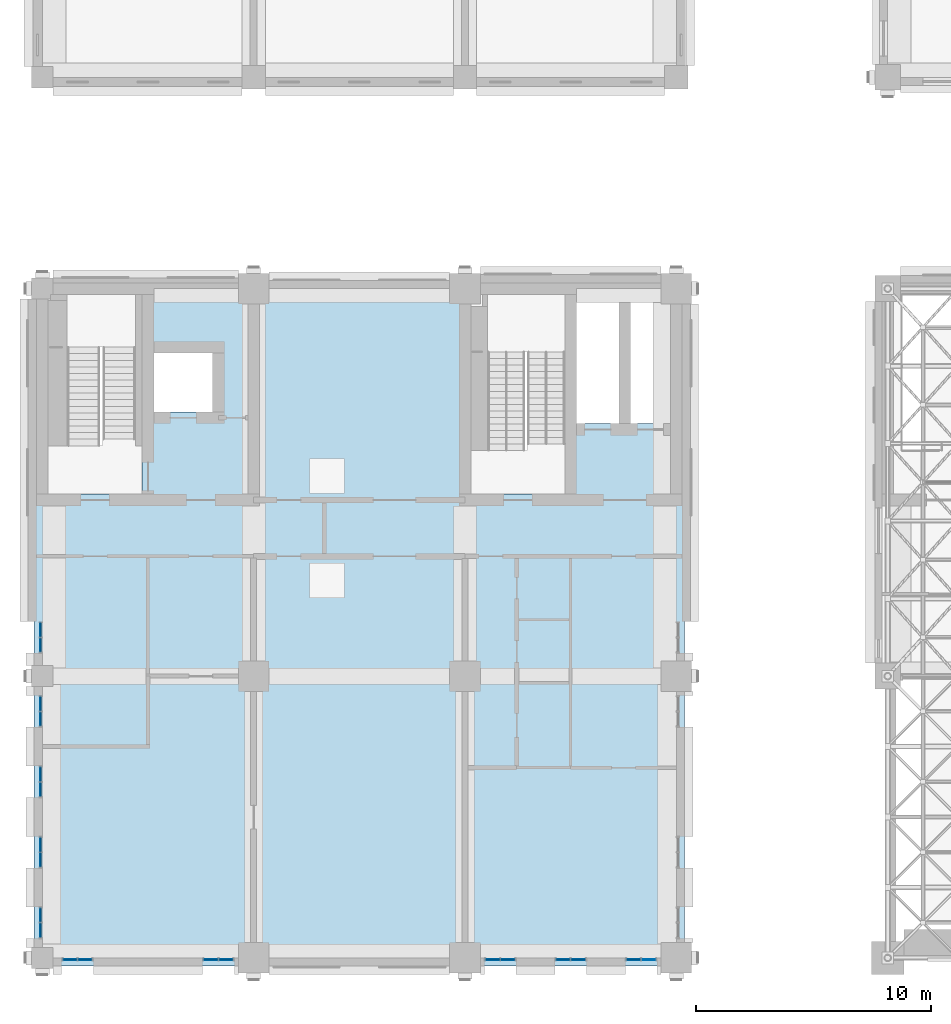
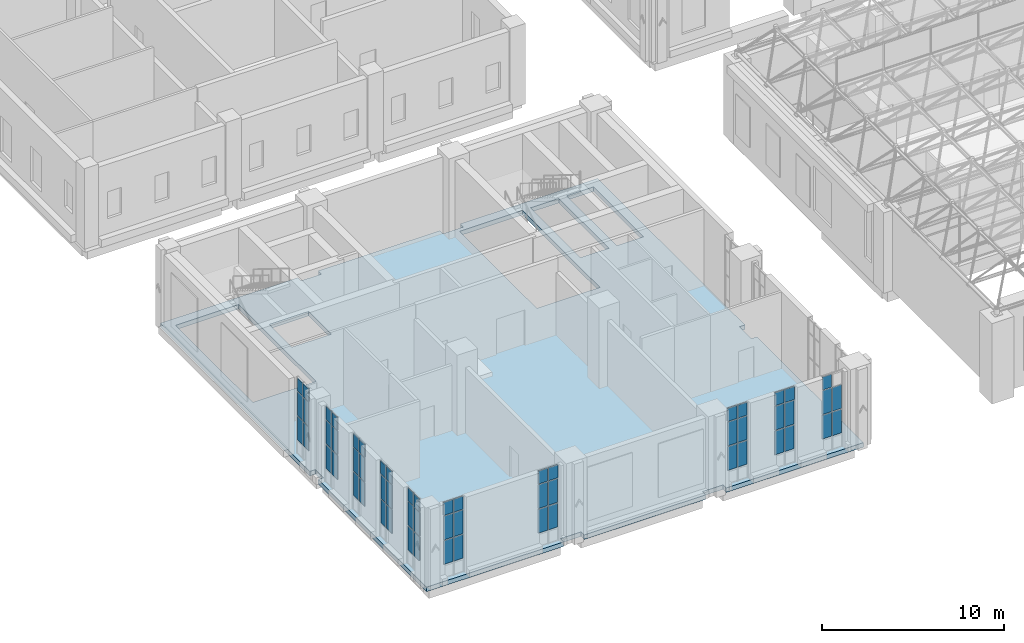
# One storey, part 19 of 53: 59 plates, 1 slab, 10 elements without a shape of their own.
"""IFC4 building model written with IfcOpenShell, lengths in metres."""

from ifc_helpers import new_model, si_unit, direction, frame, origin, origin_2d, place, context, subcontext, project, spatial, polyline, rectangle, outline, extrude, material, layer, layer_set, type_object, element, aggregate, save


model = new_model("IFC4")

# Units and contexts
model_context = context("Model", 3, precision=1e-05, world=origin(), true_north=direction((0.0, 1.0)))
body_context = subcontext(model_context, "Body", "Model", "MODEL_VIEW")
ifc_project = project(units=[si_unit("LENGTHUNIT", "METRE"), si_unit("AREAUNIT", "SQUARE_METRE"), si_unit("VOLUMEUNIT", "CUBIC_METRE"), si_unit("PLANEANGLEUNIT", "RADIAN"), si_unit("MASSUNIT", "GRAM", prefix="KILO")], contexts=[model_context])

# Site, building, storey
site_placement = place(None, origin())
site = spatial("IfcSite", under=ifc_project, at=site_placement, CompositionType="ELEMENT")
building_placement = place(site_placement, origin())
building = spatial("IfcBuilding", under=site, at=building_placement, Name="Aurelan Courthouse", CompositionType="ELEMENT")
storey_placement = place(building_placement, frame((0.0, 0.0, 12.0)))
storey = spatial("IfcBuildingStorey", under=building, at=storey_placement, Name="L02", CompositionType="ELEMENT", Elevation=12.0)

# Curtain wall, plates
ifc_material_1 = material(Name="Bronze-finished aluminium and glass", Category="aluminium")
ifc_layer_1 = layer(ifc_material_1, 0.14990234375)
ifc_layer_set_1 = layer_set([ifc_layer_1], Name="Bronze-finished aluminium and glass")
curtain_wall_type = type_object("IfcCurtainWallType", Name="Curtain wall 1350 x 5150", PredefinedType="NOTDEFINED", material=ifc_layer_set_1)
curtain_wall_1_placement = place(storey_placement, origin())
curtain_wall_1 = element("IfcCurtainWall", 1, at=curtain_wall_1_placement, inside=storey, type_object=curtain_wall_type, Name="Curtain wall CW-V5-L02-S01", PredefinedType="NOTDEFINED")
ifc_material_2 = material(Name="Limestone cladding", Category="masonry")
ifc_layer_2 = layer(ifc_material_2, 0.0400390625, Name="Facing")
ifc_material_3 = material(Name="Bronze sheet cladding", Category="bronze")
ifc_layer_3 = layer(ifc_material_3, 0.02001953125, Name="Back sheet")
ifc_layer_set_2 = layer_set([ifc_layer_2, ifc_layer_3], Name="Limestone cladding")
plate_type_1 = type_object("IfcPlateType", Name="Limestone spandrel panel with bronze back sheet 60", PredefinedType="CURTAIN_PANEL", material=ifc_layer_set_2)
plate_1_placement = place(storey_placement, frame((1.177490234375, -0.074951171875, 4.22998046875), z_axis=(0.0, 0.0, 1.0), x_axis=(1.0, 0.0, 0.0)))
plate_1 = element("IfcPlate", 2, at=plate_1_placement, type_object=plate_type_1, Name="CW-V5-L02-S01 spandrel panel 1.4", PredefinedType="CURTAIN_PANEL", context=body_context, shape_type="SweptSolid", body=[
    extrude(rectangle(XDim=0.5849609375, YDim=0.06005859375, at=origin_2d()), origin(), (0.0, 0.0, 1.0), 0.860107421875),
])
plate_2_placement = place(storey_placement, frame((1.822509765625, -0.074951171875, 4.22998046875), z_axis=(0.0, 0.0, 1.0), x_axis=(1.0, 0.0, 0.0)))
plate_2 = element("IfcPlate", 3, at=plate_2_placement, type_object=plate_type_1, Name="CW-V5-L02-S01 spandrel panel 2.4", PredefinedType="CURTAIN_PANEL", context=body_context, shape_type="SweptSolid", body=[
    extrude(rectangle(XDim=0.5849609375, YDim=0.06005859375, at=origin_2d()), origin(), (0.0, 0.0, 1.0), 0.860107421875),
])

curtain_wall_2_placement = place(storey_placement, origin())
curtain_wall_2 = element("IfcCurtainWall", 4, at=curtain_wall_2_placement, inside=storey, type_object=curtain_wall_type, Name="Curtain wall CW-V5-L02-S02", PredefinedType="NOTDEFINED")
plate_3_placement = place(storey_placement, frame((7.177490234375, -0.074951171875, 4.22998046875), z_axis=(0.0, 0.0, 1.0), x_axis=(1.0, 0.0, 0.0)))
plate_3 = element("IfcPlate", 5, at=plate_3_placement, type_object=plate_type_1, Name="CW-V5-L02-S02 spandrel panel 1.4", PredefinedType="CURTAIN_PANEL", context=body_context, shape_type="SweptSolid", body=[
    extrude(rectangle(XDim=0.5849609375, YDim=0.06005859375, at=origin_2d()), origin(), (0.0, 0.0, 1.0), 0.860107421875),
])
plate_4_placement = place(storey_placement, frame((7.822509765625, -0.074951171875, 4.22998046875), z_axis=(0.0, 0.0, 1.0), x_axis=(1.0, 0.0, 0.0)))
plate_4 = element("IfcPlate", 6, at=plate_4_placement, type_object=plate_type_1, Name="CW-V5-L02-S02 spandrel panel 2.4", PredefinedType="CURTAIN_PANEL", context=body_context, shape_type="SweptSolid", body=[
    extrude(rectangle(XDim=0.5849609375, YDim=0.06005859375, at=origin_2d()), origin(), (0.0, 0.0, 1.0), 0.860107421875),
])

curtain_wall_3_placement = place(storey_placement, origin())
curtain_wall_3 = element("IfcCurtainWall", 7, at=curtain_wall_3_placement, inside=storey, type_object=curtain_wall_type, Name="Curtain wall CW-V5-L02-S03", PredefinedType="NOTDEFINED")
plate_5_placement = place(storey_placement, frame((19.177490234375, -0.074951171875, 4.22998046875), z_axis=(0.0, 0.0, 1.0), x_axis=(1.0, 0.0, 0.0)))
plate_5 = element("IfcPlate", 8, at=plate_5_placement, type_object=plate_type_1, Name="CW-V5-L02-S03 spandrel panel 1.4", PredefinedType="CURTAIN_PANEL", context=body_context, shape_type="SweptSolid", body=[
    extrude(rectangle(XDim=0.5849609375, YDim=0.06005859375, at=origin_2d()), origin(), (0.0, 0.0, 1.0), 0.860107421875),
])
plate_6_placement = place(storey_placement, frame((19.822509765625, -0.074951171875, 4.22998046875), z_axis=(0.0, 0.0, 1.0), x_axis=(1.0, 0.0, 0.0)))
plate_6 = element("IfcPlate", 9, at=plate_6_placement, type_object=plate_type_1, Name="CW-V5-L02-S03 spandrel panel 2.4", PredefinedType="CURTAIN_PANEL", context=body_context, shape_type="SweptSolid", body=[
    extrude(rectangle(XDim=0.5849609375, YDim=0.06005859375, at=origin_2d()), origin(), (0.0, 0.0, 1.0), 0.860107421875),
])

curtain_wall_4_placement = place(storey_placement, origin())
curtain_wall_4 = element("IfcCurtainWall", 10, at=curtain_wall_4_placement, inside=storey, type_object=curtain_wall_type, Name="Curtain wall CW-V5-L02-S04", PredefinedType="NOTDEFINED")
plate_7_placement = place(storey_placement, frame((22.177490234375, -0.074951171875, 4.22998046875), z_axis=(0.0, 0.0, 1.0), x_axis=(1.0, 0.0, 0.0)))
plate_7 = element("IfcPlate", 11, at=plate_7_placement, type_object=plate_type_1, Name="CW-V5-L02-S04 spandrel panel 1.4", PredefinedType="CURTAIN_PANEL", context=body_context, shape_type="SweptSolid", body=[
    extrude(rectangle(XDim=0.5849609375, YDim=0.06005859375, at=origin_2d()), origin(), (0.0, 0.0, 1.0), 0.860107421875),
])
plate_8_placement = place(storey_placement, frame((22.822509765625, -0.074951171875, 4.22998046875), z_axis=(0.0, 0.0, 1.0), x_axis=(1.0, 0.0, 0.0)))
plate_8 = element("IfcPlate", 12, at=plate_8_placement, type_object=plate_type_1, Name="CW-V5-L02-S04 spandrel panel 2.4", PredefinedType="CURTAIN_PANEL", context=body_context, shape_type="SweptSolid", body=[
    extrude(rectangle(XDim=0.5849609375, YDim=0.06005859375, at=origin_2d()), origin(), (0.0, 0.0, 1.0), 0.860107421875),
])

# Curtain wall, plate
curtain_wall_5_placement = place(storey_placement, origin())
curtain_wall_5 = element("IfcCurtainWall", 13, at=curtain_wall_5_placement, inside=storey, type_object=curtain_wall_type, Name="Curtain wall CW-V5-L02-S05", PredefinedType="NOTDEFINED")
plate_9_placement = place(storey_placement, frame((25.177490234375, -0.074951171875, 4.22998046875), z_axis=(0.0, 0.0, 1.0), x_axis=(1.0, 0.0, 0.0)))
plate_9 = element("IfcPlate", 14, at=plate_9_placement, type_object=plate_type_1, Name="CW-V5-L02-S05 spandrel panel 1.4", PredefinedType="CURTAIN_PANEL", context=body_context, shape_type="SweptSolid", body=[
    extrude(rectangle(XDim=0.5849609375, YDim=0.06005859375, at=origin_2d()), origin(), (0.0, 0.0, 1.0), 0.860107421875),
])

# Curtain wall, plates
curtain_wall_6_placement = place(storey_placement, origin())
curtain_wall_6 = element("IfcCurtainWall", 15, at=curtain_wall_6_placement, inside=storey, type_object=curtain_wall_type, Name="Curtain wall CW-V5-L02-W01", PredefinedType="NOTDEFINED")
plate_10_placement = place(storey_placement, frame((-0.074951171875, 1.177490234375, 4.22998046875), z_axis=(0.0, 0.0, 1.0), x_axis=(0.0, 1.0, 0.0)))
plate_10 = element("IfcPlate", 16, at=plate_10_placement, type_object=plate_type_1, Name="CW-V5-L02-W01 spandrel panel 1.4", PredefinedType="CURTAIN_PANEL", context=body_context, shape_type="SweptSolid", body=[
    extrude(rectangle(XDim=0.5849609375, YDim=0.06005859375, at=origin_2d()), origin(), (0.0, 0.0, 1.0), 0.860107421875),
])
plate_11_placement = place(storey_placement, frame((-0.074951171875, 1.822509765625, 4.22998046875), z_axis=(0.0, 0.0, 1.0), x_axis=(0.0, 1.0, 0.0)))
plate_11 = element("IfcPlate", 17, at=plate_11_placement, type_object=plate_type_1, Name="CW-V5-L02-W01 spandrel panel 2.4", PredefinedType="CURTAIN_PANEL", context=body_context, shape_type="SweptSolid", body=[
    extrude(rectangle(XDim=0.5849609375, YDim=0.06005859375, at=origin_2d()), origin(), (0.0, 0.0, 1.0), 0.860107421875),
])

curtain_wall_7_placement = place(storey_placement, origin())
curtain_wall_7 = element("IfcCurtainWall", 18, at=curtain_wall_7_placement, inside=storey, type_object=curtain_wall_type, Name="Curtain wall CW-V5-L02-W02", PredefinedType="NOTDEFINED")
plate_12_placement = place(storey_placement, frame((-0.074951171875, 4.177490234375, 4.22998046875), z_axis=(0.0, 0.0, 1.0), x_axis=(0.0, 1.0, 0.0)))
plate_12 = element("IfcPlate", 19, at=plate_12_placement, type_object=plate_type_1, Name="CW-V5-L02-W02 spandrel panel 1.4", PredefinedType="CURTAIN_PANEL", context=body_context, shape_type="SweptSolid", body=[
    extrude(rectangle(XDim=0.5849609375, YDim=0.06005859375, at=origin_2d()), origin(), (0.0, 0.0, 1.0), 0.860107421875),
])
plate_13_placement = place(storey_placement, frame((-0.074951171875, 4.822509765625, 4.22998046875), z_axis=(0.0, 0.0, 1.0), x_axis=(0.0, 1.0, 0.0)))
plate_13 = element("IfcPlate", 20, at=plate_13_placement, type_object=plate_type_1, Name="CW-V5-L02-W02 spandrel panel 2.4", PredefinedType="CURTAIN_PANEL", context=body_context, shape_type="SweptSolid", body=[
    extrude(rectangle(XDim=0.5849609375, YDim=0.06005859375, at=origin_2d()), origin(), (0.0, 0.0, 1.0), 0.860107421875),
])

curtain_wall_8_placement = place(storey_placement, origin())
curtain_wall_8 = element("IfcCurtainWall", 21, at=curtain_wall_8_placement, inside=storey, type_object=curtain_wall_type, Name="Curtain wall CW-V5-L02-W03", PredefinedType="NOTDEFINED")
plate_14_placement = place(storey_placement, frame((-0.074951171875, 7.177490234375, 4.22998046875), z_axis=(0.0, 0.0, 1.0), x_axis=(0.0, 1.0, 0.0)))
plate_14 = element("IfcPlate", 22, at=plate_14_placement, type_object=plate_type_1, Name="CW-V5-L02-W03 spandrel panel 1.4", PredefinedType="CURTAIN_PANEL", context=body_context, shape_type="SweptSolid", body=[
    extrude(rectangle(XDim=0.5849609375, YDim=0.06005859375, at=origin_2d()), origin(), (0.0, 0.0, 1.0), 0.860107421875),
])
plate_15_placement = place(storey_placement, frame((-0.074951171875, 7.822509765625, 4.22998046875), z_axis=(0.0, 0.0, 1.0), x_axis=(0.0, 1.0, 0.0)))
plate_15 = element("IfcPlate", 23, at=plate_15_placement, type_object=plate_type_1, Name="CW-V5-L02-W03 spandrel panel 2.4", PredefinedType="CURTAIN_PANEL", context=body_context, shape_type="SweptSolid", body=[
    extrude(rectangle(XDim=0.5849609375, YDim=0.06005859375, at=origin_2d()), origin(), (0.0, 0.0, 1.0), 0.860107421875),
])

curtain_wall_9_placement = place(storey_placement, origin())
curtain_wall_9 = element("IfcCurtainWall", 24, at=curtain_wall_9_placement, inside=storey, type_object=curtain_wall_type, Name="Curtain wall CW-V5-L02-W04", PredefinedType="NOTDEFINED")
plate_16_placement = place(storey_placement, frame((-0.074951171875, 10.177490234375, 4.22998046875), z_axis=(0.0, 0.0, 1.0), x_axis=(0.0, 1.0, 0.0)))
plate_16 = element("IfcPlate", 25, at=plate_16_placement, type_object=plate_type_1, Name="CW-V5-L02-W04 spandrel panel 1.4", PredefinedType="CURTAIN_PANEL", context=body_context, shape_type="SweptSolid", body=[
    extrude(rectangle(XDim=0.5849609375, YDim=0.06005859375, at=origin_2d()), origin(), (0.0, 0.0, 1.0), 0.860107421875),
])
plate_17_placement = place(storey_placement, frame((-0.074951171875, 10.822509765625, 4.22998046875), z_axis=(0.0, 0.0, 1.0), x_axis=(0.0, 1.0, 0.0)))
plate_17 = element("IfcPlate", 26, at=plate_17_placement, type_object=plate_type_1, Name="CW-V5-L02-W04 spandrel panel 2.4", PredefinedType="CURTAIN_PANEL", context=body_context, shape_type="SweptSolid", body=[
    extrude(rectangle(XDim=0.5849609375, YDim=0.06005859375, at=origin_2d()), origin(), (0.0, 0.0, 1.0), 0.860107421875),
])

curtain_wall_10_placement = place(storey_placement, origin())
curtain_wall_10 = element("IfcCurtainWall", 27, at=curtain_wall_10_placement, inside=storey, type_object=curtain_wall_type, Name="Curtain wall CW-V5-L02-W05", PredefinedType="NOTDEFINED")
plate_18_placement = place(storey_placement, frame((-0.074951171875, 13.327392578125, 4.22998046875), z_axis=(0.0, 0.0, 1.0), x_axis=(0.0, 1.0, 0.0)))
plate_18 = element("IfcPlate", 28, at=plate_18_placement, type_object=plate_type_1, Name="CW-V5-L02-W05 spandrel panel 1.4", PredefinedType="CURTAIN_PANEL", context=body_context, shape_type="SweptSolid", body=[
    extrude(rectangle(XDim=0.5849609375, YDim=0.06005859375, at=origin_2d()), origin(), (0.0, 0.0, 1.0), 0.860107421875),
])
plate_19_placement = place(storey_placement, frame((-0.074951171875, 13.972412109375, 4.22998046875), z_axis=(0.0, 0.0, 1.0), x_axis=(0.0, 1.0, 0.0)))
plate_19 = element("IfcPlate", 29, at=plate_19_placement, type_object=plate_type_1, Name="CW-V5-L02-W05 spandrel panel 2.4", PredefinedType="CURTAIN_PANEL", context=body_context, shape_type="SweptSolid", body=[
    extrude(rectangle(XDim=0.5849609375, YDim=0.06005859375, at=origin_2d()), origin(), (0.0, 0.0, 1.0), 0.860107421875),
])

# Slab
ifc_material_4 = material(Name="Concrete C40", Category="concrete")
ifc_layer_4 = layer(ifc_material_4, 0.300048828125)
ifc_layer_set_3 = layer_set([ifc_layer_4], Name="Concrete C40")
slab_type = type_object("IfcSlabType", Name="PT floor slab 300", PredefinedType="FLOOR", material=ifc_layer_set_3)
slab_placement = place(storey_placement, frame((0.0, 0.0, -0.300048828125)))
element("IfcSlab", 30, at=slab_placement, inside=storey, type_object=slab_type, Name="Floor slab SL-L02-04", PredefinedType="FLOOR", context=body_context, shape_type="SweptSolid", body=[
    extrude(outline(polyline([(0.0, 12.449951171875), (0.0, 11.550048828125), (-0.35009765625, 11.550048828125), (-0.35009765625, 0.449951171875), (-0.35009765625, -0.35009765625), (0.449951171875, -0.35009765625), (8.35009765625, -0.35009765625), (8.35009765625, 0.0), (9.64990234375, 0.0), (9.64990234375, -0.35009765625), (17.35009765625, -0.35009765625), (17.35009765625, 0.0), (18.64990234375, 0.0), (18.64990234375, -0.35009765625), (26.35009765625, -0.35009765625), (27.35009765625, -0.35009765625), (27.35009765625, 0.64990234375), (27.35009765625, 11.35009765625), (27.0, 11.35009765625), (27.0, 12.64990234375), (27.35009765625, 12.64990234375), (27.35009765625, 27.85009765625), (27.35009765625, 28.85009765625), (26.35009765625, 28.85009765625), (18.64990234375, 28.85009765625), (18.64990234375, 28.5), (17.35009765625, 28.5), (17.35009765625, 28.85009765625), (9.64990234375, 28.85009765625), (9.64990234375, 28.5), (8.35009765625, 28.5), (8.35009765625, 28.85009765625), (0.449951171875, 28.85009765625), (-0.35009765625, 28.85009765625), (-0.35009765625, 28.050048828125), (-0.35009765625, 12.449951171875), (0.0, 12.449951171875)]), holes=[polyline([(26.75, 28.25), (26.75, 22.75), (25.050048828125, 22.75), (25.050048828125, 28.25), (26.75, 28.25)]), polyline([(22.75, 28.25), (24.550048828125, 28.25), (24.550048828125, 22.75), (22.75, 22.75), (22.75, 28.25)]), polyline([(22.25, 28.25), (22.25, 19.75), (18.25, 19.75), (18.25, 28.25), (22.25, 28.25)]), polyline([(4.75, 23.25), (4.75, 25.75), (7.25, 25.75), (7.25, 23.25), (4.75, 23.25)]), polyline([(4.25, 19.75), (0.25, 19.75), (0.25, 28.25), (4.25, 28.25), (4.25, 19.75)])]), origin(), (0.0, 0.0, 1.0), 0.300048828125),
])

# Plate
ifc_material_5 = material(Name="Laminated low-emissivity glass", Category="glass")
ifc_layer_5 = layer(ifc_material_5, 0.028076171875)
ifc_layer_set_4 = layer_set([ifc_layer_5], Name="Laminated low-emissivity glass")
plate_type_2 = type_object("IfcPlateType", Name="Vision glass panel 28", PredefinedType="CURTAIN_PANEL", material=ifc_layer_set_4)
plate_20_placement = place(storey_placement, frame((1.177490234375, -0.074951171875, 0.93017578125), z_axis=(0.0, 0.0, 1.0), x_axis=(1.0, 0.0, 0.0)))
plate_20 = element("IfcPlate", 31, at=plate_20_placement, type_object=plate_type_2, Name="CW-V5-L02-S01 vision panel 1.2", PredefinedType="CURTAIN_PANEL", context=body_context, shape_type="SweptSolid", body=[
    extrude(rectangle(XDim=0.5849609375, YDim=0.028076171875, at=origin_2d()), origin(), (0.0, 0.0, 1.0), 1.590087890625),
])

plate_21_placement = place(storey_placement, frame((1.177490234375, -0.074951171875, 2.580078125), z_axis=(0.0, 0.0, 1.0), x_axis=(1.0, 0.0, 0.0)))
plate_21 = element("IfcPlate", 32, at=plate_21_placement, type_object=plate_type_2, Name="CW-V5-L02-S01 vision panel 1.3", PredefinedType="CURTAIN_PANEL", context=body_context, shape_type="SweptSolid", body=[
    extrude(rectangle(XDim=0.5849609375, YDim=0.028076171875, at=origin_2d()), origin(), (0.0, 0.0, 1.0), 1.590087890625),
])

plate_22_placement = place(storey_placement, frame((1.822509765625, -0.074951171875, 0.93017578125), z_axis=(0.0, 0.0, 1.0), x_axis=(1.0, 0.0, 0.0)))
plate_22 = element("IfcPlate", 33, at=plate_22_placement, type_object=plate_type_2, Name="CW-V5-L02-S01 vision panel 2.2", PredefinedType="CURTAIN_PANEL", context=body_context, shape_type="SweptSolid", body=[
    extrude(rectangle(XDim=0.5849609375, YDim=0.028076171875, at=origin_2d()), origin(), (0.0, 0.0, 1.0), 1.590087890625),
])

plate_23_placement = place(storey_placement, frame((1.822509765625, -0.074951171875, 2.580078125), z_axis=(0.0, 0.0, 1.0), x_axis=(1.0, 0.0, 0.0)))
plate_23 = element("IfcPlate", 34, at=plate_23_placement, type_object=plate_type_2, Name="CW-V5-L02-S01 vision panel 2.3", PredefinedType="CURTAIN_PANEL", context=body_context, shape_type="SweptSolid", body=[
    extrude(rectangle(XDim=0.5849609375, YDim=0.028076171875, at=origin_2d()), origin(), (0.0, 0.0, 1.0), 1.590087890625),
])

aggregate(curtain_wall_1, [plate_20, plate_21, plate_1, plate_22, plate_23, plate_2])

plate_24_placement = place(storey_placement, frame((7.177490234375, -0.074951171875, 0.93017578125), z_axis=(0.0, 0.0, 1.0), x_axis=(1.0, 0.0, 0.0)))
plate_24 = element("IfcPlate", 35, at=plate_24_placement, type_object=plate_type_2, Name="CW-V5-L02-S02 vision panel 1.2", PredefinedType="CURTAIN_PANEL", context=body_context, shape_type="SweptSolid", body=[
    extrude(rectangle(XDim=0.5849609375, YDim=0.028076171875, at=origin_2d()), origin(), (0.0, 0.0, 1.0), 1.590087890625),
])

plate_25_placement = place(storey_placement, frame((7.177490234375, -0.074951171875, 2.580078125), z_axis=(0.0, 0.0, 1.0), x_axis=(1.0, 0.0, 0.0)))
plate_25 = element("IfcPlate", 36, at=plate_25_placement, type_object=plate_type_2, Name="CW-V5-L02-S02 vision panel 1.3", PredefinedType="CURTAIN_PANEL", context=body_context, shape_type="SweptSolid", body=[
    extrude(rectangle(XDim=0.5849609375, YDim=0.028076171875, at=origin_2d()), origin(), (0.0, 0.0, 1.0), 1.590087890625),
])

plate_26_placement = place(storey_placement, frame((7.822509765625, -0.074951171875, 0.93017578125), z_axis=(0.0, 0.0, 1.0), x_axis=(1.0, 0.0, 0.0)))
plate_26 = element("IfcPlate", 37, at=plate_26_placement, type_object=plate_type_2, Name="CW-V5-L02-S02 vision panel 2.2", PredefinedType="CURTAIN_PANEL", context=body_context, shape_type="SweptSolid", body=[
    extrude(rectangle(XDim=0.5849609375, YDim=0.028076171875, at=origin_2d()), origin(), (0.0, 0.0, 1.0), 1.590087890625),
])

plate_27_placement = place(storey_placement, frame((7.822509765625, -0.074951171875, 2.580078125), z_axis=(0.0, 0.0, 1.0), x_axis=(1.0, 0.0, 0.0)))
plate_27 = element("IfcPlate", 38, at=plate_27_placement, type_object=plate_type_2, Name="CW-V5-L02-S02 vision panel 2.3", PredefinedType="CURTAIN_PANEL", context=body_context, shape_type="SweptSolid", body=[
    extrude(rectangle(XDim=0.5849609375, YDim=0.028076171875, at=origin_2d()), origin(), (0.0, 0.0, 1.0), 1.590087890625),
])

aggregate(curtain_wall_2, [plate_24, plate_25, plate_3, plate_26, plate_27, plate_4])

plate_28_placement = place(storey_placement, frame((19.177490234375, -0.074951171875, 0.93017578125), z_axis=(0.0, 0.0, 1.0), x_axis=(1.0, 0.0, 0.0)))
plate_28 = element("IfcPlate", 39, at=plate_28_placement, type_object=plate_type_2, Name="CW-V5-L02-S03 vision panel 1.2", PredefinedType="CURTAIN_PANEL", context=body_context, shape_type="SweptSolid", body=[
    extrude(rectangle(XDim=0.5849609375, YDim=0.028076171875, at=origin_2d()), origin(), (0.0, 0.0, 1.0), 1.590087890625),
])

plate_29_placement = place(storey_placement, frame((19.177490234375, -0.074951171875, 2.580078125), z_axis=(0.0, 0.0, 1.0), x_axis=(1.0, 0.0, 0.0)))
plate_29 = element("IfcPlate", 40, at=plate_29_placement, type_object=plate_type_2, Name="CW-V5-L02-S03 vision panel 1.3", PredefinedType="CURTAIN_PANEL", context=body_context, shape_type="SweptSolid", body=[
    extrude(rectangle(XDim=0.5849609375, YDim=0.028076171875, at=origin_2d()), origin(), (0.0, 0.0, 1.0), 1.590087890625),
])

plate_30_placement = place(storey_placement, frame((19.822509765625, -0.074951171875, 0.93017578125), z_axis=(0.0, 0.0, 1.0), x_axis=(1.0, 0.0, 0.0)))
plate_30 = element("IfcPlate", 41, at=plate_30_placement, type_object=plate_type_2, Name="CW-V5-L02-S03 vision panel 2.2", PredefinedType="CURTAIN_PANEL", context=body_context, shape_type="SweptSolid", body=[
    extrude(rectangle(XDim=0.5849609375, YDim=0.028076171875, at=origin_2d()), origin(), (0.0, 0.0, 1.0), 1.590087890625),
])

plate_31_placement = place(storey_placement, frame((19.822509765625, -0.074951171875, 2.580078125), z_axis=(0.0, 0.0, 1.0), x_axis=(1.0, 0.0, 0.0)))
plate_31 = element("IfcPlate", 42, at=plate_31_placement, type_object=plate_type_2, Name="CW-V5-L02-S03 vision panel 2.3", PredefinedType="CURTAIN_PANEL", context=body_context, shape_type="SweptSolid", body=[
    extrude(rectangle(XDim=0.5849609375, YDim=0.028076171875, at=origin_2d()), origin(), (0.0, 0.0, 1.0), 1.590087890625),
])

aggregate(curtain_wall_3, [plate_28, plate_29, plate_5, plate_30, plate_31, plate_6])

plate_32_placement = place(storey_placement, frame((22.177490234375, -0.074951171875, 0.93017578125), z_axis=(0.0, 0.0, 1.0), x_axis=(1.0, 0.0, 0.0)))
plate_32 = element("IfcPlate", 43, at=plate_32_placement, type_object=plate_type_2, Name="CW-V5-L02-S04 vision panel 1.2", PredefinedType="CURTAIN_PANEL", context=body_context, shape_type="SweptSolid", body=[
    extrude(rectangle(XDim=0.5849609375, YDim=0.028076171875, at=origin_2d()), origin(), (0.0, 0.0, 1.0), 1.590087890625),
])

plate_33_placement = place(storey_placement, frame((22.177490234375, -0.074951171875, 2.580078125), z_axis=(0.0, 0.0, 1.0), x_axis=(1.0, 0.0, 0.0)))
plate_33 = element("IfcPlate", 44, at=plate_33_placement, type_object=plate_type_2, Name="CW-V5-L02-S04 vision panel 1.3", PredefinedType="CURTAIN_PANEL", context=body_context, shape_type="SweptSolid", body=[
    extrude(rectangle(XDim=0.5849609375, YDim=0.028076171875, at=origin_2d()), origin(), (0.0, 0.0, 1.0), 1.590087890625),
])

plate_34_placement = place(storey_placement, frame((22.822509765625, -0.074951171875, 0.93017578125), z_axis=(0.0, 0.0, 1.0), x_axis=(1.0, 0.0, 0.0)))
plate_34 = element("IfcPlate", 45, at=plate_34_placement, type_object=plate_type_2, Name="CW-V5-L02-S04 vision panel 2.2", PredefinedType="CURTAIN_PANEL", context=body_context, shape_type="SweptSolid", body=[
    extrude(rectangle(XDim=0.5849609375, YDim=0.028076171875, at=origin_2d()), origin(), (0.0, 0.0, 1.0), 1.590087890625),
])

plate_35_placement = place(storey_placement, frame((22.822509765625, -0.074951171875, 2.580078125), z_axis=(0.0, 0.0, 1.0), x_axis=(1.0, 0.0, 0.0)))
plate_35 = element("IfcPlate", 46, at=plate_35_placement, type_object=plate_type_2, Name="CW-V5-L02-S04 vision panel 2.3", PredefinedType="CURTAIN_PANEL", context=body_context, shape_type="SweptSolid", body=[
    extrude(rectangle(XDim=0.5849609375, YDim=0.028076171875, at=origin_2d()), origin(), (0.0, 0.0, 1.0), 1.590087890625),
])

aggregate(curtain_wall_4, [plate_32, plate_33, plate_7, plate_34, plate_35, plate_8])

plate_36_placement = place(storey_placement, frame((25.177490234375, -0.074951171875, 0.93017578125), z_axis=(0.0, 0.0, 1.0), x_axis=(1.0, 0.0, 0.0)))
plate_36 = element("IfcPlate", 47, at=plate_36_placement, type_object=plate_type_2, Name="CW-V5-L02-S05 vision panel 1.2", PredefinedType="CURTAIN_PANEL", context=body_context, shape_type="SweptSolid", body=[
    extrude(rectangle(XDim=0.5849609375, YDim=0.028076171875, at=origin_2d()), origin(), (0.0, 0.0, 1.0), 1.590087890625),
])

plate_37_placement = place(storey_placement, frame((25.177490234375, -0.074951171875, 2.580078125), z_axis=(0.0, 0.0, 1.0), x_axis=(1.0, 0.0, 0.0)))
plate_37 = element("IfcPlate", 48, at=plate_37_placement, type_object=plate_type_2, Name="CW-V5-L02-S05 vision panel 1.3", PredefinedType="CURTAIN_PANEL", context=body_context, shape_type="SweptSolid", body=[
    extrude(rectangle(XDim=0.5849609375, YDim=0.028076171875, at=origin_2d()), origin(), (0.0, 0.0, 1.0), 1.590087890625),
])

plate_38_placement = place(storey_placement, frame((25.822509765625, -0.074951171875, 0.93017578125), z_axis=(0.0, 0.0, 1.0), x_axis=(1.0, 0.0, 0.0)))
plate_38 = element("IfcPlate", 49, at=plate_38_placement, type_object=plate_type_2, Name="CW-V5-L02-S05 vision panel 2.2", PredefinedType="CURTAIN_PANEL", context=body_context, shape_type="SweptSolid", body=[
    extrude(rectangle(XDim=0.5849609375, YDim=0.028076171875, at=origin_2d()), origin(), (0.0, 0.0, 1.0), 1.590087890625),
])

plate_39_placement = place(storey_placement, frame((25.822509765625, -0.074951171875, 2.580078125), z_axis=(0.0, 0.0, 1.0), x_axis=(1.0, 0.0, 0.0)))
plate_39 = element("IfcPlate", 50, at=plate_39_placement, type_object=plate_type_2, Name="CW-V5-L02-S05 vision panel 2.3", PredefinedType="CURTAIN_PANEL", context=body_context, shape_type="SweptSolid", body=[
    extrude(rectangle(XDim=0.5849609375, YDim=0.028076171875, at=origin_2d()), origin(), (0.0, 0.0, 1.0), 1.590087890625),
])

aggregate(curtain_wall_5, [plate_36, plate_37, plate_9, plate_38, plate_39])

plate_40_placement = place(storey_placement, frame((-0.074951171875, 1.177490234375, 0.93017578125), z_axis=(0.0, 0.0, 1.0), x_axis=(0.0, 1.0, 0.0)))
plate_40 = element("IfcPlate", 51, at=plate_40_placement, type_object=plate_type_2, Name="CW-V5-L02-W01 vision panel 1.2", PredefinedType="CURTAIN_PANEL", context=body_context, shape_type="SweptSolid", body=[
    extrude(rectangle(XDim=0.5849609375, YDim=0.028076171875, at=origin_2d()), origin(), (0.0, 0.0, 1.0), 1.590087890625),
])

plate_41_placement = place(storey_placement, frame((-0.074951171875, 1.177490234375, 2.580078125), z_axis=(0.0, 0.0, 1.0), x_axis=(0.0, 1.0, 0.0)))
plate_41 = element("IfcPlate", 52, at=plate_41_placement, type_object=plate_type_2, Name="CW-V5-L02-W01 vision panel 1.3", PredefinedType="CURTAIN_PANEL", context=body_context, shape_type="SweptSolid", body=[
    extrude(rectangle(XDim=0.5849609375, YDim=0.028076171875, at=origin_2d()), origin(), (0.0, 0.0, 1.0), 1.590087890625),
])

plate_42_placement = place(storey_placement, frame((-0.074951171875, 1.822509765625, 0.93017578125), z_axis=(0.0, 0.0, 1.0), x_axis=(0.0, 1.0, 0.0)))
plate_42 = element("IfcPlate", 53, at=plate_42_placement, type_object=plate_type_2, Name="CW-V5-L02-W01 vision panel 2.2", PredefinedType="CURTAIN_PANEL", context=body_context, shape_type="SweptSolid", body=[
    extrude(rectangle(XDim=0.5849609375, YDim=0.028076171875, at=origin_2d()), origin(), (0.0, 0.0, 1.0), 1.590087890625),
])

plate_43_placement = place(storey_placement, frame((-0.074951171875, 1.822509765625, 2.580078125), z_axis=(0.0, 0.0, 1.0), x_axis=(0.0, 1.0, 0.0)))
plate_43 = element("IfcPlate", 54, at=plate_43_placement, type_object=plate_type_2, Name="CW-V5-L02-W01 vision panel 2.3", PredefinedType="CURTAIN_PANEL", context=body_context, shape_type="SweptSolid", body=[
    extrude(rectangle(XDim=0.5849609375, YDim=0.028076171875, at=origin_2d()), origin(), (0.0, 0.0, 1.0), 1.590087890625),
])

aggregate(curtain_wall_6, [plate_40, plate_41, plate_10, plate_42, plate_43, plate_11])

plate_44_placement = place(storey_placement, frame((-0.074951171875, 4.177490234375, 0.93017578125), z_axis=(0.0, 0.0, 1.0), x_axis=(0.0, 1.0, 0.0)))
plate_44 = element("IfcPlate", 55, at=plate_44_placement, type_object=plate_type_2, Name="CW-V5-L02-W02 vision panel 1.2", PredefinedType="CURTAIN_PANEL", context=body_context, shape_type="SweptSolid", body=[
    extrude(rectangle(XDim=0.5849609375, YDim=0.028076171875, at=origin_2d()), origin(), (0.0, 0.0, 1.0), 1.590087890625),
])

plate_45_placement = place(storey_placement, frame((-0.074951171875, 4.177490234375, 2.580078125), z_axis=(0.0, 0.0, 1.0), x_axis=(0.0, 1.0, 0.0)))
plate_45 = element("IfcPlate", 56, at=plate_45_placement, type_object=plate_type_2, Name="CW-V5-L02-W02 vision panel 1.3", PredefinedType="CURTAIN_PANEL", context=body_context, shape_type="SweptSolid", body=[
    extrude(rectangle(XDim=0.5849609375, YDim=0.028076171875, at=origin_2d()), origin(), (0.0, 0.0, 1.0), 1.590087890625),
])

plate_46_placement = place(storey_placement, frame((-0.074951171875, 4.822509765625, 0.93017578125), z_axis=(0.0, 0.0, 1.0), x_axis=(0.0, 1.0, 0.0)))
plate_46 = element("IfcPlate", 57, at=plate_46_placement, type_object=plate_type_2, Name="CW-V5-L02-W02 vision panel 2.2", PredefinedType="CURTAIN_PANEL", context=body_context, shape_type="SweptSolid", body=[
    extrude(rectangle(XDim=0.5849609375, YDim=0.028076171875, at=origin_2d()), origin(), (0.0, 0.0, 1.0), 1.590087890625),
])

plate_47_placement = place(storey_placement, frame((-0.074951171875, 4.822509765625, 2.580078125), z_axis=(0.0, 0.0, 1.0), x_axis=(0.0, 1.0, 0.0)))
plate_47 = element("IfcPlate", 58, at=plate_47_placement, type_object=plate_type_2, Name="CW-V5-L02-W02 vision panel 2.3", PredefinedType="CURTAIN_PANEL", context=body_context, shape_type="SweptSolid", body=[
    extrude(rectangle(XDim=0.5849609375, YDim=0.028076171875, at=origin_2d()), origin(), (0.0, 0.0, 1.0), 1.590087890625),
])

aggregate(curtain_wall_7, [plate_44, plate_45, plate_12, plate_46, plate_47, plate_13])

plate_48_placement = place(storey_placement, frame((-0.074951171875, 7.177490234375, 0.93017578125), z_axis=(0.0, 0.0, 1.0), x_axis=(0.0, 1.0, 0.0)))
plate_48 = element("IfcPlate", 59, at=plate_48_placement, type_object=plate_type_2, Name="CW-V5-L02-W03 vision panel 1.2", PredefinedType="CURTAIN_PANEL", context=body_context, shape_type="SweptSolid", body=[
    extrude(rectangle(XDim=0.5849609375, YDim=0.028076171875, at=origin_2d()), origin(), (0.0, 0.0, 1.0), 1.590087890625),
])

plate_49_placement = place(storey_placement, frame((-0.074951171875, 7.177490234375, 2.580078125), z_axis=(0.0, 0.0, 1.0), x_axis=(0.0, 1.0, 0.0)))
plate_49 = element("IfcPlate", 60, at=plate_49_placement, type_object=plate_type_2, Name="CW-V5-L02-W03 vision panel 1.3", PredefinedType="CURTAIN_PANEL", context=body_context, shape_type="SweptSolid", body=[
    extrude(rectangle(XDim=0.5849609375, YDim=0.028076171875, at=origin_2d()), origin(), (0.0, 0.0, 1.0), 1.590087890625),
])

plate_50_placement = place(storey_placement, frame((-0.074951171875, 7.822509765625, 0.93017578125), z_axis=(0.0, 0.0, 1.0), x_axis=(0.0, 1.0, 0.0)))
plate_50 = element("IfcPlate", 61, at=plate_50_placement, type_object=plate_type_2, Name="CW-V5-L02-W03 vision panel 2.2", PredefinedType="CURTAIN_PANEL", context=body_context, shape_type="SweptSolid", body=[
    extrude(rectangle(XDim=0.5849609375, YDim=0.028076171875, at=origin_2d()), origin(), (0.0, 0.0, 1.0), 1.590087890625),
])

plate_51_placement = place(storey_placement, frame((-0.074951171875, 7.822509765625, 2.580078125), z_axis=(0.0, 0.0, 1.0), x_axis=(0.0, 1.0, 0.0)))
plate_51 = element("IfcPlate", 62, at=plate_51_placement, type_object=plate_type_2, Name="CW-V5-L02-W03 vision panel 2.3", PredefinedType="CURTAIN_PANEL", context=body_context, shape_type="SweptSolid", body=[
    extrude(rectangle(XDim=0.5849609375, YDim=0.028076171875, at=origin_2d()), origin(), (0.0, 0.0, 1.0), 1.590087890625),
])

aggregate(curtain_wall_8, [plate_48, plate_49, plate_14, plate_50, plate_51, plate_15])

plate_52_placement = place(storey_placement, frame((-0.074951171875, 10.177490234375, 0.93017578125), z_axis=(0.0, 0.0, 1.0), x_axis=(0.0, 1.0, 0.0)))
plate_52 = element("IfcPlate", 63, at=plate_52_placement, type_object=plate_type_2, Name="CW-V5-L02-W04 vision panel 1.2", PredefinedType="CURTAIN_PANEL", context=body_context, shape_type="SweptSolid", body=[
    extrude(rectangle(XDim=0.5849609375, YDim=0.028076171875, at=origin_2d()), origin(), (0.0, 0.0, 1.0), 1.590087890625),
])

plate_53_placement = place(storey_placement, frame((-0.074951171875, 10.177490234375, 2.580078125), z_axis=(0.0, 0.0, 1.0), x_axis=(0.0, 1.0, 0.0)))
plate_53 = element("IfcPlate", 64, at=plate_53_placement, type_object=plate_type_2, Name="CW-V5-L02-W04 vision panel 1.3", PredefinedType="CURTAIN_PANEL", context=body_context, shape_type="SweptSolid", body=[
    extrude(rectangle(XDim=0.5849609375, YDim=0.028076171875, at=origin_2d()), origin(), (0.0, 0.0, 1.0), 1.590087890625),
])

plate_54_placement = place(storey_placement, frame((-0.074951171875, 10.822509765625, 0.93017578125), z_axis=(0.0, 0.0, 1.0), x_axis=(0.0, 1.0, 0.0)))
plate_54 = element("IfcPlate", 65, at=plate_54_placement, type_object=plate_type_2, Name="CW-V5-L02-W04 vision panel 2.2", PredefinedType="CURTAIN_PANEL", context=body_context, shape_type="SweptSolid", body=[
    extrude(rectangle(XDim=0.5849609375, YDim=0.028076171875, at=origin_2d()), origin(), (0.0, 0.0, 1.0), 1.590087890625),
])

plate_55_placement = place(storey_placement, frame((-0.074951171875, 10.822509765625, 2.580078125), z_axis=(0.0, 0.0, 1.0), x_axis=(0.0, 1.0, 0.0)))
plate_55 = element("IfcPlate", 66, at=plate_55_placement, type_object=plate_type_2, Name="CW-V5-L02-W04 vision panel 2.3", PredefinedType="CURTAIN_PANEL", context=body_context, shape_type="SweptSolid", body=[
    extrude(rectangle(XDim=0.5849609375, YDim=0.028076171875, at=origin_2d()), origin(), (0.0, 0.0, 1.0), 1.590087890625),
])

aggregate(curtain_wall_9, [plate_52, plate_53, plate_16, plate_54, plate_55, plate_17])

plate_56_placement = place(storey_placement, frame((-0.074951171875, 13.327392578125, 0.93017578125), z_axis=(0.0, 0.0, 1.0), x_axis=(0.0, 1.0, 0.0)))
plate_56 = element("IfcPlate", 67, at=plate_56_placement, type_object=plate_type_2, Name="CW-V5-L02-W05 vision panel 1.2", PredefinedType="CURTAIN_PANEL", context=body_context, shape_type="SweptSolid", body=[
    extrude(rectangle(XDim=0.5849609375, YDim=0.028076171875, at=origin_2d()), origin(), (0.0, 0.0, 1.0), 1.590087890625),
])

plate_57_placement = place(storey_placement, frame((-0.074951171875, 13.327392578125, 2.580078125), z_axis=(0.0, 0.0, 1.0), x_axis=(0.0, 1.0, 0.0)))
plate_57 = element("IfcPlate", 68, at=plate_57_placement, type_object=plate_type_2, Name="CW-V5-L02-W05 vision panel 1.3", PredefinedType="CURTAIN_PANEL", context=body_context, shape_type="SweptSolid", body=[
    extrude(rectangle(XDim=0.5849609375, YDim=0.028076171875, at=origin_2d()), origin(), (0.0, 0.0, 1.0), 1.590087890625),
])

plate_58_placement = place(storey_placement, frame((-0.074951171875, 13.972412109375, 0.93017578125), z_axis=(0.0, 0.0, 1.0), x_axis=(0.0, 1.0, 0.0)))
plate_58 = element("IfcPlate", 69, at=plate_58_placement, type_object=plate_type_2, Name="CW-V5-L02-W05 vision panel 2.2", PredefinedType="CURTAIN_PANEL", context=body_context, shape_type="SweptSolid", body=[
    extrude(rectangle(XDim=0.5849609375, YDim=0.028076171875, at=origin_2d()), origin(), (0.0, 0.0, 1.0), 1.590087890625),
])

plate_59_placement = place(storey_placement, frame((-0.074951171875, 13.972412109375, 2.580078125), z_axis=(0.0, 0.0, 1.0), x_axis=(0.0, 1.0, 0.0)))
plate_59 = element("IfcPlate", 70, at=plate_59_placement, type_object=plate_type_2, Name="CW-V5-L02-W05 vision panel 2.3", PredefinedType="CURTAIN_PANEL", context=body_context, shape_type="SweptSolid", body=[
    extrude(rectangle(XDim=0.5849609375, YDim=0.028076171875, at=origin_2d()), origin(), (0.0, 0.0, 1.0), 1.590087890625),
])

aggregate(curtain_wall_10, [plate_56, plate_57, plate_18, plate_58, plate_59, plate_19])

save(model, "model.ifc")
